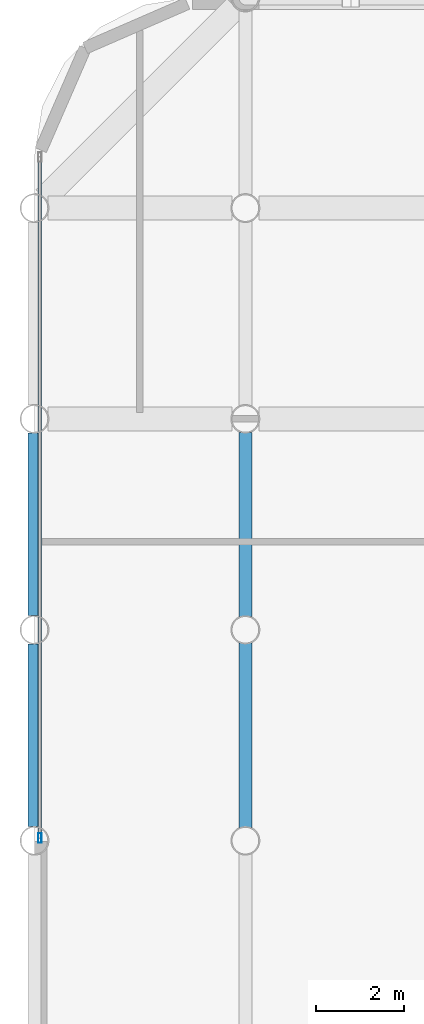
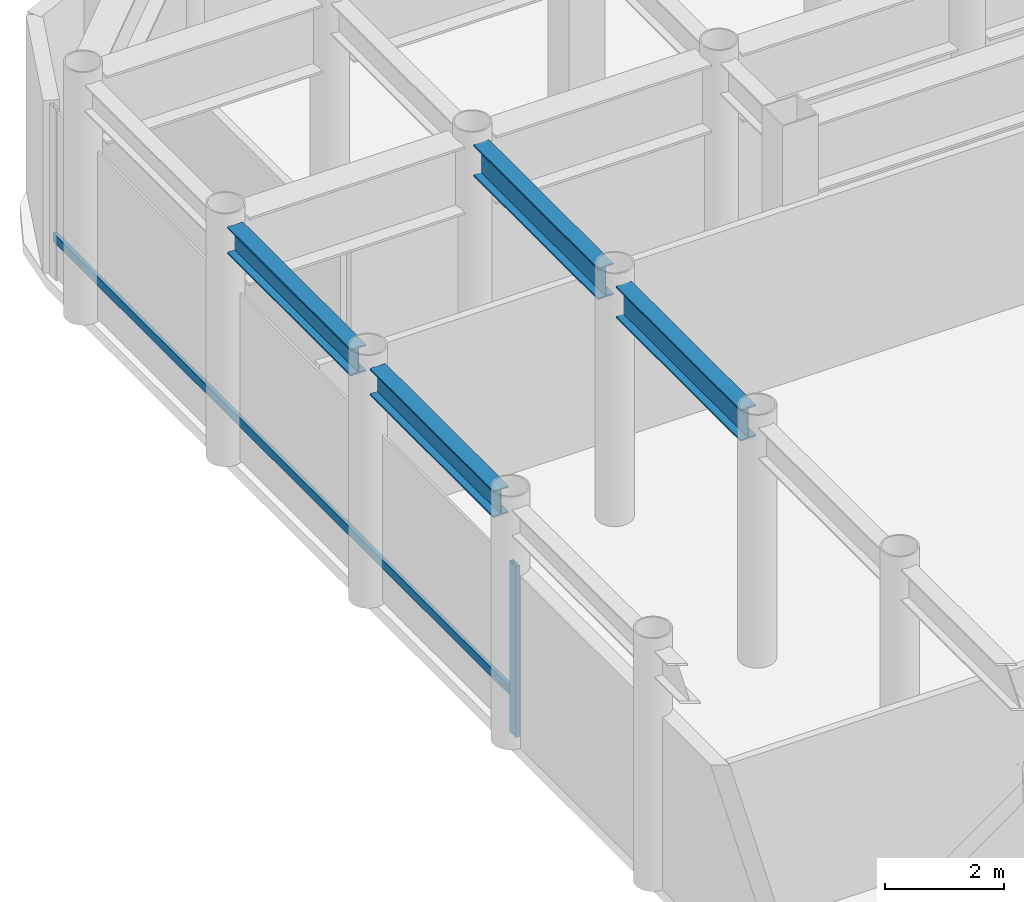
# One storey, part 4 of 20: 4 beams, 2 members, 1 element without a shape of its own.
"""IFC4 building model written with IfcOpenShell, lengths in metres."""

from ifc_helpers import new_model, si_unit, direction, frame, origin, origin_2d, place, context, subcontext, project, spatial, hollow_rectangle, i_section, extrude, material, layer, layer_set, material_profile, profile_set, type_object, element, aggregate, save


model = new_model("IFC4")

# Units and contexts
model_context = context("Model", 3, precision=1e-05, world=origin(), true_north=direction((0.0, 1.0)))
body_context = subcontext(model_context, "Body", "Model", "MODEL_VIEW")
ifc_project = project(units=[si_unit("LENGTHUNIT", "METRE"), si_unit("AREAUNIT", "SQUARE_METRE"), si_unit("VOLUMEUNIT", "CUBIC_METRE"), si_unit("PLANEANGLEUNIT", "RADIAN"), si_unit("MASSUNIT", "GRAM", prefix="KILO")], contexts=[model_context])

# Site, building, storey
site_placement = place(None, origin())
site = spatial("IfcSite", under=ifc_project, at=site_placement, CompositionType="ELEMENT")
building_placement = place(site_placement, origin())
building = spatial("IfcBuilding", under=site, at=building_placement, Name="Kallvorn Hotel Tower", CompositionType="ELEMENT")
storey_placement = place(building_placement, frame((0.0, 0.0, 180.300048828125)))
storey = spatial("IfcBuildingStorey", under=building, at=storey_placement, Name="L45", CompositionType="ELEMENT", Elevation=180.300048828125)

# Beams
ifc_material_1 = material(Name="Structural steel S355JR", Category="steel")
ifc_material_profile_1 = material_profile(ifc_material_1, i_section(OverallWidth=0.300048828125, OverallDepth=0.550048828125, WebThickness=0.014892578125, FlangeThickness=0.029052734375, at=origin_2d()), Name="HE 550 B")
ifc_profile_set_1 = profile_set([ifc_material_profile_1], Name="Structural steel S355JR")
beam_type_1 = type_object("IfcBeamType", Name="BM_HE550B", PredefinedType="SPANDREL", material=ifc_profile_set_1)
for number, where, z_axis, x_axis, name in (
    (1, (-33.60009765625, 0.320068359375, 4.675048828125), (0.0, 1.0, 0.0), (-1.0, 0.0, 0.0), "L46 Perimeter Spandrel 178"),
    (2, (-33.60009765625, 5.1201171875, 4.675048828125), (0.0, 1.0, 0.0), (-1.0, 0.0, 0.0), "L46 Perimeter Spandrel 179"),
):
    element("IfcBeam", number, at=place(storey_placement, frame(where, z_axis=z_axis, x_axis=x_axis)), inside=storey, type_object=beam_type_1, Name=name, PredefinedType="SPANDREL", context=body_context, shape_type="SweptSolid", body=[
        extrude(i_section(OverallWidth=0.300048828125, OverallDepth=0.550048828125, WebThickness=0.014892578125, FlangeThickness=0.029052734375, at=origin_2d()), origin(), (0.0, 0.0, 1.0), 4.159912109375),
    ])
ifc_material_2 = material(Name="Structural steel S355JR", Category="steel")
ifc_material_profile_2 = material_profile(ifc_material_2, i_section(OverallWidth=0.300048828125, OverallDepth=0.64990234375, WebThickness=0.01611328125, FlangeThickness=0.031005859375, at=origin_2d()), Name="HE 650 B")
ifc_profile_set_2 = profile_set([ifc_material_profile_2], Name="Structural steel S355JR")
beam_type_2 = type_object("IfcBeamType", Name="BM_HE650B", PredefinedType="BEAM", material=ifc_profile_set_2)
beam_1_placement = place(storey_placement, frame((-28.800048828125, 0.304931640625, 4.625), z_axis=(0.0, 1.0, 0.0), x_axis=(-1.0, 0.0, 0.0)))
element("IfcBeam", 3, at=beam_1_placement, inside=storey, type_object=beam_type_2, Name="L46 Primary Y-Girder 78", PredefinedType="BEAM", context=body_context, shape_type="SweptSolid", body=[
    extrude(i_section(OverallWidth=0.300048828125, OverallDepth=0.64990234375, WebThickness=0.01611328125, FlangeThickness=0.031005859375, at=origin_2d()), origin(), (0.0, 0.0, 1.0), 4.190185546875),
])
beam_2_placement = place(storey_placement, frame((-28.800048828125, 5.10498046875, 4.625), z_axis=(0.0, 1.0, 0.0), x_axis=(-1.0, 0.0, 0.0)))
element("IfcBeam", 4, at=beam_2_placement, inside=storey, type_object=beam_type_2, Name="L46 Primary Y-Girder 79", PredefinedType="BEAM", context=body_context, shape_type="SweptSolid", body=[
    extrude(i_section(OverallWidth=0.300048828125, OverallDepth=0.64990234375, WebThickness=0.01611328125, FlangeThickness=0.031005859375, at=origin_2d()), origin(), (0.0, 0.0, 1.0), 4.18994140625),
])

# Curtain wall, members
ifc_material_3 = material(Name="Thermally broken black-anodised aluminium AA 6063-T6", Category="aluminium")
ifc_layer = layer(ifc_material_3, 0.22998046875)
ifc_layer_set = layer_set([ifc_layer], Name="CW_SYS_5_HOTEL_HIGH")
curtain_wall_type = type_object("IfcCurtainWallType", Name="CW_SYS_5_HOTEL_HIGH", PredefinedType="USERDEFINED", material=ifc_layer_set)
curtain_wall_placement = place(storey_placement, origin())
curtain_wall = element("IfcCurtainWall", 5, at=curtain_wall_placement, inside=storey, type_object=curtain_wall_type, Name="L45 Dark-Glass Curtain Wall CW-L45-WN", ObjectType="UNITISED CURTAIN WALL", PredefinedType="USERDEFINED")
ifc_material_4 = material(Name="Thermally broken black-anodised aluminium AA 6063-T6", Category="aluminium")
ifc_material_profile_3 = material_profile(ifc_material_4, hollow_rectangle(XDim=0.080078125, YDim=0.219970703125, WallThickness=0.0048828125, at=origin_2d()), Name="MUL 220x80")
ifc_profile_set_3 = profile_set([ifc_material_profile_3], Name="Thermally broken black-anodised aluminium AA 6063-T6")
member_type_1 = type_object("IfcMemberType", Name="CW_MULLION_220x80", PredefinedType="MULLION", material=ifc_profile_set_3)
member_1_placement = place(storey_placement, frame((-33.47998046875, 0.06005859375, 0.02001953125), z_axis=(0.0, 0.0, 1.0), x_axis=(1.0, 0.0, 0.0)))
member_1 = element("IfcMember", 6, at=member_1_placement, type_object=member_type_1, Name="CW-L45-WN Mullion 00", PredefinedType="MULLION", context=body_context, shape_type="SweptSolid", body=[
    extrude(hollow_rectangle(XDim=0.080078125, YDim=0.219970703125, WallThickness=0.0048828125, at=origin_2d()), origin(), (0.0, 0.0, 1.0), 3.510009765625),
])
ifc_material_5 = material(Name="Thermally broken black-anodised aluminium AA 6063-T6", Category="aluminium")
ifc_material_profile_4 = material_profile(ifc_material_5, hollow_rectangle(XDim=0.070068359375, YDim=0.179931640625, WallThickness=0.00390625, at=origin_2d()), Name="TRN 180x70")
ifc_profile_set_4 = profile_set([ifc_material_profile_4], Name="Thermally broken black-anodised aluminium AA 6063-T6")
member_type_2 = type_object("IfcMemberType", Name="CW_TRANSOM_180x70", PredefinedType="USERDEFINED", material=ifc_profile_set_4)
member_2_placement = place(storey_placement, frame((-33.47998046875, 0.06005859375, 0.849853515625), z_axis=(0.0, 1.0, 0.0), x_axis=(-1.0, 0.0, 0.0)))
member_2 = element("IfcMember", 7, at=member_2_placement, type_object=member_type_2, Name="CW-L45-WN Transom 00M", ObjectType="TRANSOM", PredefinedType="USERDEFINED", context=body_context, shape_type="SweptSolid", body=[
    extrude(hollow_rectangle(XDim=0.070068359375, YDim=0.179931640625, WallThickness=0.00390625, at=origin_2d()), origin(), (0.0, 0.0, 1.0), 15.5),
])
aggregate(curtain_wall, [member_1, member_2])

save(model, "model.ifc")
